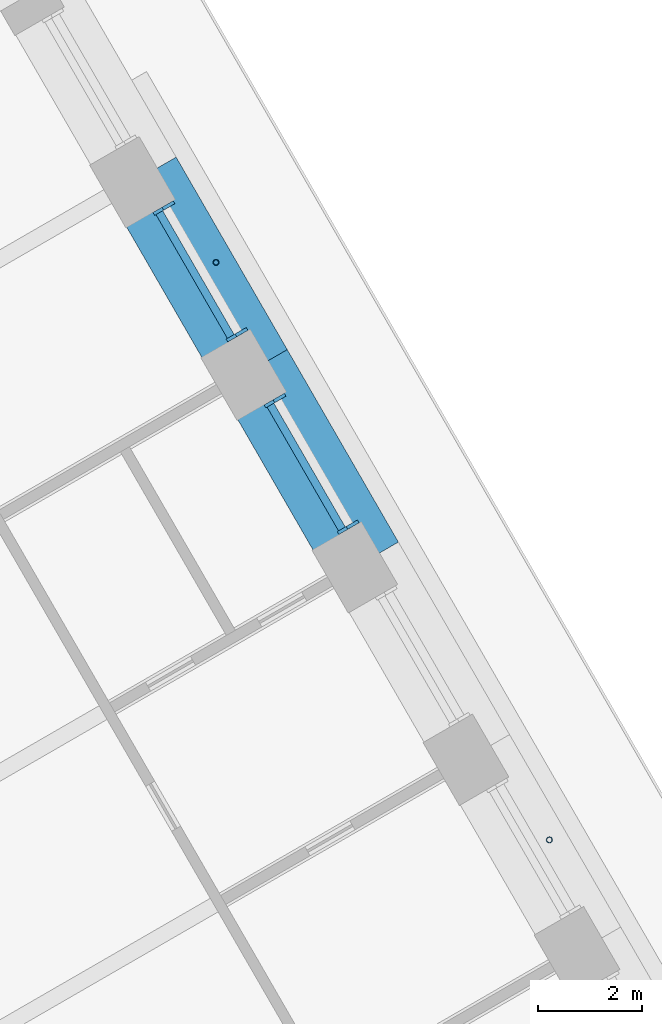
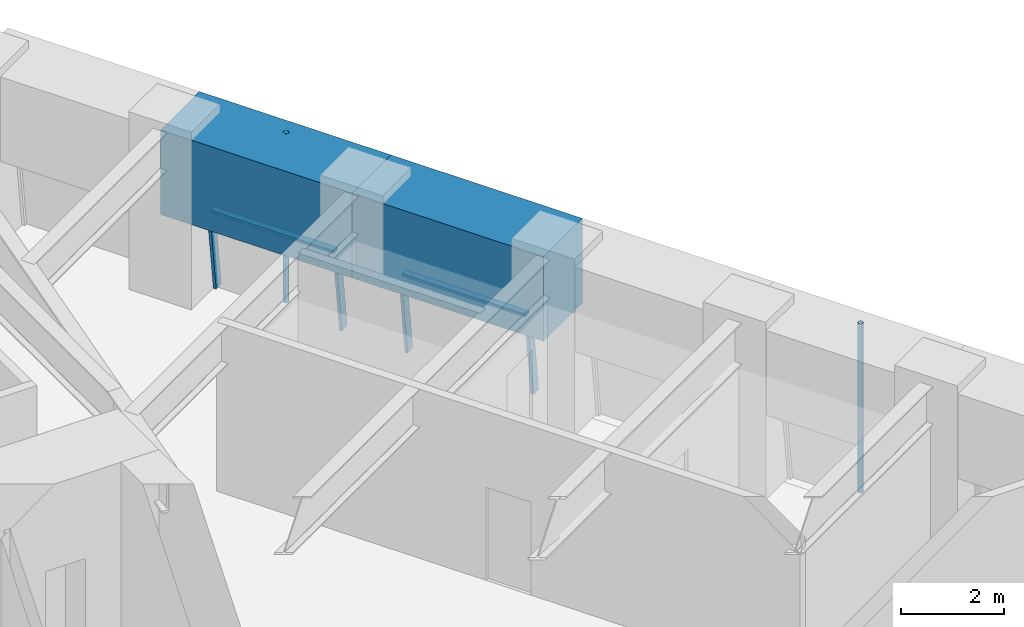
# One storey, part 10 of 18: 8 members, 2 beams, 2 elements without a shape of their own.
"""IFC4 building model written with IfcOpenShell, lengths in metres."""

import ifcopenshell
import ifcopenshell.guid

model = None  # the IFC model being written
_history = None  # IfcOwnerHistory: only IFC2X3 demands one
_inside = {}  # id of a spatial element -> (the spatial element, [elements in it])
_under = {}  # id of a project, library or spatial element -> (it, [spatial elements below it])
_declared = {}  # id of a project -> (the project, [libraries it declares])
_typed = {}  # id of a type object -> (the type object, [elements of that type])
_made_of = {}  # id of a material, layer set ... -> (it, [elements and type objects made of it])


def new_model(schema):
    """Start an empty IFC model of exactly this schema.

    Asked for "IFC4X3", IfcOpenShell would pick the latest addendum, in which some entities
    have other attributes; the version numbers below select the first issue.
    IFC2X3 requires an IfcOwnerHistory on every rooted entity: one is made here for all.
    """
    global model, _history
    if schema == "IFC4X3":
        model = ifcopenshell.file(schema_version=(4, 3, 0, 0))
    else:
        model = ifcopenshell.file(schema=schema)
    _inside.clear()
    _under.clear()
    _declared.clear()
    _typed.clear()
    _made_of.clear()
    _history = None
    if model.schema == "IFC2X3":
        org = make("IfcOrganization", Name="unknown")
        user = make(
            "IfcPersonAndOrganization",
            ThePerson=make("IfcPerson", FamilyName="unknown"),
            TheOrganization=org,
        )
        app = make(
            "IfcApplication",
            ApplicationDeveloper=org,
            Version="unknown",
            ApplicationFullName="unknown",
            ApplicationIdentifier="unknown",
        )
        _history = make(
            "IfcOwnerHistory",
            OwningUser=user,
            OwningApplication=app,
            ChangeAction="ADDED",
            CreationDate=0,
        )
    return model


def make(cls, **values):
    """One entity of the class cls with the attributes given. An attribute that is None is left unset."""
    return model.create_entity(
        cls, **{name: value for name, value in values.items() if value is not None}
    )


def rooted(cls, **values):
    """An entity with a GlobalId (a new one), such as an element, a storey or a relation."""
    return make(cls, GlobalId=ifcopenshell.guid.new(), OwnerHistory=_history, **values)


def si_unit(unit_type, name, prefix=None):
    """IfcSIUnit, for example si_unit("LENGTHUNIT", "METRE", prefix="MILLI")."""
    return make("IfcSIUnit", UnitType=unit_type, Prefix=prefix, Name=name)


def assignment(units):
    """IfcUnitAssignment: the units of a project."""
    return None if units is None else make("IfcUnitAssignment", Units=units)


def point(xyz):
    """IfcCartesianPoint."""
    return None if xyz is None else make("IfcCartesianPoint", Coordinates=xyz)


def direction(xyz):
    """IfcDirection."""
    return None if xyz is None else make("IfcDirection", DirectionRatios=xyz)


def frame(location, z_axis=None, x_axis=None):
    """IfcAxis2Placement3D, a coordinate frame: its origin and axes. An axis left out is left unset."""
    return make(
        "IfcAxis2Placement3D",
        Location=point(location),
        Axis=direction(z_axis),
        RefDirection=direction(x_axis),
    )


def frame_2d(location, x_axis=None):
    """IfcAxis2Placement2D, a coordinate frame in the plane: its origin and x axis."""
    return make(
        "IfcAxis2Placement2D", Location=point(location), RefDirection=direction(x_axis)
    )


def origin():
    """The frame at (0, 0, 0) with its axes left unset."""
    return frame((0.0, 0.0, 0.0))


def origin_2d():
    """The frame at (0, 0) in the plane with its x axis left unset."""
    return frame_2d((0.0, 0.0))


def place(relative_to, where):
    """IfcLocalPlacement: puts the frame where relative to a parent placement (None: the world)."""
    return make(
        "IfcLocalPlacement", PlacementRelTo=relative_to, RelativePlacement=where
    )


def context(
    kind, dimensions, precision=None, world=None, true_north=None, identifier=None
):
    """IfcGeometricRepresentationContext, for example the 3D "Model" context."""
    return make(
        "IfcGeometricRepresentationContext",
        ContextIdentifier=identifier,
        ContextType=kind,
        CoordinateSpaceDimension=dimensions,
        Precision=precision,
        WorldCoordinateSystem=world,
        TrueNorth=true_north,
    )


def subcontext(parent, identifier, kind, view, scale=None):
    """IfcGeometricRepresentationSubContext, for example "Body" below "Model"."""
    return make(
        "IfcGeometricRepresentationSubContext",
        ContextIdentifier=identifier,
        ContextType=kind,
        ParentContext=parent,
        TargetScale=scale,
        TargetView=view,
    )


def project(units=None, contexts=None):
    """IfcProject with its units and contexts."""
    return rooted(
        "IfcProject",
        Name="project",
        RepresentationContexts=contexts,
        UnitsInContext=assignment(units),
    )


def spatial(cls, under=None, at=None, **own):
    """A site, building, storey or space (cls), placed at a placement, below another one or the project."""
    s = rooted(cls, ObjectPlacement=at, **own)
    if under is not None:
        _under.setdefault(under.id(), (under, []))[1].append(s)
    return s


def profile(cls, at=None, kind="AREA", **sizes):
    """A parametric profile (cls). Its sizes go by their IFC names, for example OverallWidth=200.0."""
    return make(cls, ProfileType=kind, Position=at, **sizes)


def rectangle(**sizes):
    """IfcRectangleProfileDef."""
    return profile("IfcRectangleProfileDef", **sizes)


def hollow_circle(**sizes):
    """IfcCircleHollowProfileDef."""
    return profile("IfcCircleHollowProfileDef", **sizes)


def extrude(swept, where, along, depth):
    """IfcExtrudedAreaSolid: the profile swept, set in the frame where, extruded along a direction by depth."""
    return make(
        "IfcExtrudedAreaSolid",
        SweptArea=swept,
        Position=where,
        ExtrudedDirection=direction(along),
        Depth=depth,
    )


def shape(context_of_items, identifier, shape_type, items):
    """IfcShapeRepresentation: the items that make up one representation, for example the "Body"."""
    return make(
        "IfcShapeRepresentation",
        ContextOfItems=context_of_items,
        RepresentationIdentifier=identifier,
        RepresentationType=shape_type,
        Items=items,
    )


def material(Name=None, Category=None):
    """IfcMaterial."""
    return make("IfcMaterial", Name=Name, Category=Category)


def material_profile(
    of_material, cross_section, Name=None, Category=None, Priority=None
):
    """IfcMaterialProfile: a cross section and its material."""
    return make(
        "IfcMaterialProfile",
        Name=Name,
        Material=of_material,
        Profile=cross_section,
        Priority=Priority,
        Category=Category,
    )


def profile_set(profiles, Name=None, composite=None):
    """IfcMaterialProfileSet."""
    return make(
        "IfcMaterialProfileSet",
        Name=Name,
        MaterialProfiles=profiles,
        CompositeProfile=composite,
    )


def made_of(thing, what):
    """Note that an element or type object is made of a material, layer set ...; save() writes the relation."""
    if what is not None:
        _made_of.setdefault(what.id(), (what, []))[1].append(thing)
    return thing


def type_object(cls, material=None, **own):
    """A type object (cls), such as IfcWallType, which elements share."""
    return made_of(rooted(cls, **own), material)


def element(
    cls,
    number,
    at=None,
    inside=None,
    cuts=None,
    type_object=None,
    material=None,
    context=None,
    identifier="Body",
    shape_type=None,
    held_by="IfcProductDefinitionShape",
    body=None,
    shapes=None,
    **own,
):
    """One element of the class cls, such as IfcWall. Its Tag is "e" and its number.

    at: its placement. inside: the storey or other place that contains it. cuts: it is an
    opening in that element (IfcRelVoidsElement). A single representation is given by context,
    identifier, shape_type and body (its items); several are given by shapes. held_by: the class
    of the entity that holds the representations. save() writes the other relations.
    """
    e = rooted(cls, Tag="e%d" % number, ObjectPlacement=at, **own)
    if body is not None:
        shapes = [shape(context, identifier, shape_type, body)]
    if shapes is not None:
        e.Representation = make(held_by, Representations=shapes)
    if inside is not None:
        _inside.setdefault(inside.id(), (inside, []))[1].append(e)
    if cuts is not None:
        rooted(
            "IfcRelVoidsElement", RelatingBuildingElement=cuts, RelatedOpeningElement=e
        )
    if type_object is not None:
        _typed.setdefault(type_object.id(), (type_object, []))[1].append(e)
    return made_of(e, material)


def aggregate(whole, parts):
    """IfcRelAggregates: a whole, such as a stair, and the parts it consists of."""
    return rooted("IfcRelAggregates", RelatingObject=whole, RelatedObjects=parts)


def save(model, path):
    """Write the relations noted so far, then the file.

    IfcRelAggregates (storeys below a building ...), IfcRelContainedInSpatialStructure (elements
    in a storey), IfcRelDefinesByType, IfcRelAssociatesMaterial and IfcRelDeclares: one each for
    every whole, place, type object, material and project.
    """
    for whole, parts in _under.values():
        aggregate(whole, parts)
    for where, things in _inside.values():
        rooted(
            "IfcRelContainedInSpatialStructure",
            RelatedElements=things,
            RelatingStructure=where,
        )
    for kind, things in _typed.values():
        rooted("IfcRelDefinesByType", RelatedObjects=things, RelatingType=kind)
    for what, things in _made_of.values():
        rooted("IfcRelAssociatesMaterial", RelatedObjects=things, RelatingMaterial=what)
    for by, libraries in _declared.values():
        rooted("IfcRelDeclares", RelatingContext=by, RelatedDefinitions=libraries)
    model.write(path)


model = new_model("IFC4")

# Units and contexts
model_context = context("Model", 3, precision=1e-05, world=origin(), true_north=direction((0.0, 1.0)))
body_context = subcontext(model_context, "Body", "Model", "MODEL_VIEW")
ifc_project = project(units=[si_unit("LENGTHUNIT", "METRE"), si_unit("AREAUNIT", "SQUARE_METRE"), si_unit("VOLUMEUNIT", "CUBIC_METRE"), si_unit("PLANEANGLEUNIT", "RADIAN"), si_unit("MASSUNIT", "GRAM", prefix="KILO")], contexts=[model_context])

# Site, building, storey
site_placement = place(None, origin())
site = spatial("IfcSite", under=ifc_project, at=site_placement, CompositionType="ELEMENT")
building_placement = place(site_placement, origin())
building = spatial("IfcBuilding", under=site, at=building_placement, Name="Tarfa Lantern Tower", CompositionType="ELEMENT")
storey_placement = place(building_placement, frame((0.0, 0.0, 324.10009765625)))
storey = spatial("IfcBuildingStorey", under=building, at=storey_placement, Name="L73", CompositionType="ELEMENT", Elevation=324.10009765625)

# Curtain wall, members
ifc_material_1 = material(Name="Aluminium framed curtain wall", Category="aluminium")
curtain_wall_type = type_object("IfcCurtainWallType", Name="CW4 CANTED GLAZING EXECUTIVE ZONE 2000", PredefinedType="USERDEFINED", material=ifc_material_1)
curtain_wall_1_placement = place(storey_placement, origin())
curtain_wall_1 = element("IfcCurtainWall", 1, at=curtain_wall_1_placement, inside=storey, type_object=curtain_wall_type, Name="CW4 NE L73", ObjectType="CURTAIN WALL", PredefinedType="USERDEFINED")
ifc_material_2 = material(Name="Aluminium mullion", Category="aluminium")
ifc_material_profile_1 = material_profile(ifc_material_2, rectangle(XDim=0.06494140625, YDim=0.199951171875, at=origin_2d()), Name="AL MULLION 65x200")
ifc_profile_set_1 = profile_set([ifc_material_profile_1], Name="Aluminium mullion")
member_type_1 = type_object("IfcMemberType", Name="CWM1 MULLION 65x200", PredefinedType="MULLION", material=ifc_profile_set_1)
member_1_placement = place(storey_placement, frame((22.71337890625, 13.95947265625, 0.0), z_axis=(-0.107439978116, -0.062017213975, 0.992275423596), x_axis=(0.499919672301, -0.866071776036, 0.0)))
member_1 = element("IfcMember", 2, at=member_1_placement, type_object=member_type_1, Name="CW4 mullion 1", PredefinedType="MULLION", context=body_context, shape_type="SweptSolid", body=[
    extrude(rectangle(XDim=0.06494140625, YDim=0.199951171875, at=origin_2d()), origin(), (0.0, 0.0, 1.0), 2.015625),
])
member_2_placement = place(storey_placement, frame((21.304931640625, 16.39892578125, 0.0), z_axis=(-0.107439978116, -0.062017213975, 0.992275423596), x_axis=(0.499919672301, -0.866071776036, 0.0)))
member_2 = element("IfcMember", 3, at=member_2_placement, type_object=member_type_1, Name="CW4 mullion 2", PredefinedType="MULLION", context=body_context, shape_type="SweptSolid", body=[
    extrude(rectangle(XDim=0.06494140625, YDim=0.199951171875, at=origin_2d()), origin(), (0.0, 0.0, 1.0), 2.015625),
])

curtain_wall_2_placement = place(storey_placement, origin())
curtain_wall_2 = element("IfcCurtainWall", 4, at=curtain_wall_2_placement, inside=storey, type_object=curtain_wall_type, Name="CW4 NE L73", ObjectType="CURTAIN WALL", PredefinedType="USERDEFINED")
member_3_placement = place(storey_placement, frame((20.572265625, 17.667724609375, 0.0), z_axis=(-0.107439978116, -0.062017213975, 0.992275423596), x_axis=(0.499919672301, -0.866071776036, 0.0)))
member_3 = element("IfcMember", 5, at=member_3_placement, type_object=member_type_1, Name="CW4 mullion 1", PredefinedType="MULLION", context=body_context, shape_type="SweptSolid", body=[
    extrude(rectangle(XDim=0.06494140625, YDim=0.199951171875, at=origin_2d()), origin(), (0.0, 0.0, 1.0), 2.015625),
])
member_4_placement = place(storey_placement, frame((19.163818359375, 20.107421875, 0.0), z_axis=(-0.107439978116, -0.062017213975, 0.992275423596), x_axis=(0.499919672301, -0.866071776036, 0.0)))
member_4 = element("IfcMember", 6, at=member_4_placement, type_object=member_type_1, Name="CW4 mullion 2", PredefinedType="MULLION", context=body_context, shape_type="SweptSolid", body=[
    extrude(rectangle(XDim=0.06494140625, YDim=0.199951171875, at=origin_2d()), origin(), (0.0, 0.0, 1.0), 2.015625),
])

# Member
ifc_material_3 = material(Name="Aluminium transom", Category="aluminium")
ifc_material_profile_2 = material_profile(ifc_material_3, rectangle(XDim=0.14990234375, YDim=0.06494140625, at=origin_2d()), Name="AL TRANSOM 150x65")
ifc_profile_set_2 = profile_set([ifc_material_profile_2], Name="Aluminium transom")
member_type_2 = type_object("IfcMemberType", Name="CWT1 TRANSOM 150x65", PredefinedType="USERDEFINED", material=ifc_profile_set_2)
member_5_placement = place(storey_placement, frame((22.484130859375, 13.864501953125, 1.96728515625), z_axis=(-0.499993790352, 0.866028988896, 0.0), x_axis=(-0.866028988896, -0.499993790352, 0.0)))
member_5 = element("IfcMember", 7, at=member_5_placement, type_object=member_type_2, Name="CW4 transom 1.2", ObjectType="TRANSOM", PredefinedType="USERDEFINED", context=body_context, shape_type="SweptSolid", body=[
    extrude(rectangle(XDim=0.14990234375, YDim=0.06494140625, at=origin_2d()), origin(), (0.0, 0.0, 1.0), 2.751953125),
])

aggregate(curtain_wall_1, [member_1, member_2, member_5])

member_6_placement = place(storey_placement, frame((20.343017578125, 17.57275390625, 1.96728515625), z_axis=(-0.499955378711, 0.866051164365, 0.0), x_axis=(-0.866051164365, -0.499955378711, 0.0)))
member_6 = element("IfcMember", 8, at=member_6_placement, type_object=member_type_2, Name="CW4 transom 1.2", ObjectType="TRANSOM", PredefinedType="USERDEFINED", context=body_context, shape_type="SweptSolid", body=[
    extrude(rectangle(XDim=0.14990234375, YDim=0.06494140625, at=origin_2d()), origin(), (0.0, 0.0, 1.0), 2.752197265625),
])

aggregate(curtain_wall_2, [member_3, member_4, member_6])

# Beams
ifc_material_4 = material(Name="Concrete C80/95", Category="concrete")
ifc_material_profile_3 = material_profile(ifc_material_4, rectangle(XDim=1.5, YDim=2.0, at=origin_2d()), Name="RC 1500x2000")
ifc_profile_set_3 = profile_set([ifc_material_profile_3], Name="Concrete C80/95")
beam_type = type_object("IfcBeamType", Name="RB3 RC 1500x2000", PredefinedType="BEAM", material=ifc_profile_set_3)
for number, where, z_axis, x_axis, name in (
    (9, (22.923583984375, 13.235107421875, 3.0), (-0.499984039138, 0.866034618596, 0.0), (-0.866034618596, -0.499984039138, 0.0), "Edge beam NE3"),
    (10, (20.78271484375, 16.943359375, 3.0), (-0.500026801138, 0.866009929587, 0.0), (-0.866009929587, -0.500026801138, 0.0), "Edge beam NE4"),
):
    element("IfcBeam", number, at=place(storey_placement, frame(where, z_axis=z_axis, x_axis=x_axis)), inside=storey, type_object=beam_type, Name=name, PredefinedType="BEAM", context=body_context, shape_type="SweptSolid", body=[
        extrude(rectangle(XDim=1.5, YDim=2.0, at=origin_2d()), origin(), (0.0, 0.0, 1.0), 4.281982421875),
    ])

# Members
ifc_material_5 = material(Name="Steel S355", Category="steel")
ifc_material_profile_4 = material_profile(ifc_material_5, hollow_circle(Radius=0.05712890625, WallThickness=0.00634765625, at=origin_2d()), Name="CHS114.3x6.3")
ifc_profile_set_4 = profile_set([ifc_material_profile_4], Name="Steel S355")
member_type_3 = type_object("IfcMemberType", Name="TR1 GREEN WALL TRELLIS CHS114.3x6.3", PredefinedType="USERDEFINED", material=ifc_profile_set_4)
for number, where, z_axis, x_axis, name in (
    (11, (26.481689453125, 7.87255859375, 0.0), (0.0, 0.0, 1.0), (1.0, 0.0, 0.0), "Trellis post NE 1"),
    (12, (20.05859375, 18.99755859375, 0.0), (0.0, 0.0, 1.0), (1.0, 0.0, 0.0), "Trellis post NE 2"),
):
    element("IfcMember", number, at=place(storey_placement, frame(where, z_axis=z_axis, x_axis=x_axis)), inside=storey, type_object=member_type_3, Name=name, ObjectType="TRELLIS", PredefinedType="USERDEFINED", context=body_context, shape_type="SweptSolid", body=[
        extrude(hollow_circle(Radius=0.05712890625, WallThickness=0.00634765625, at=origin_2d()), origin(), (0.0, 0.0, 1.0), 4.0),
    ])

save(model, "model.ifc")
